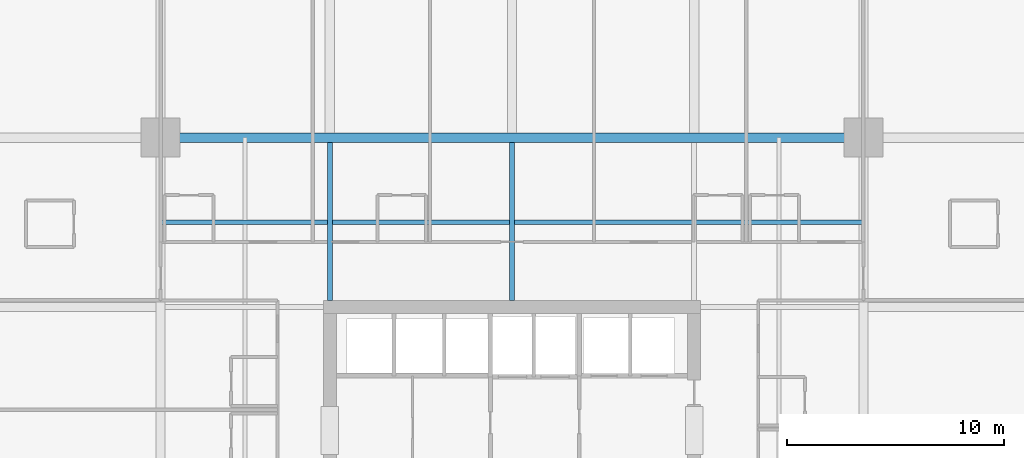
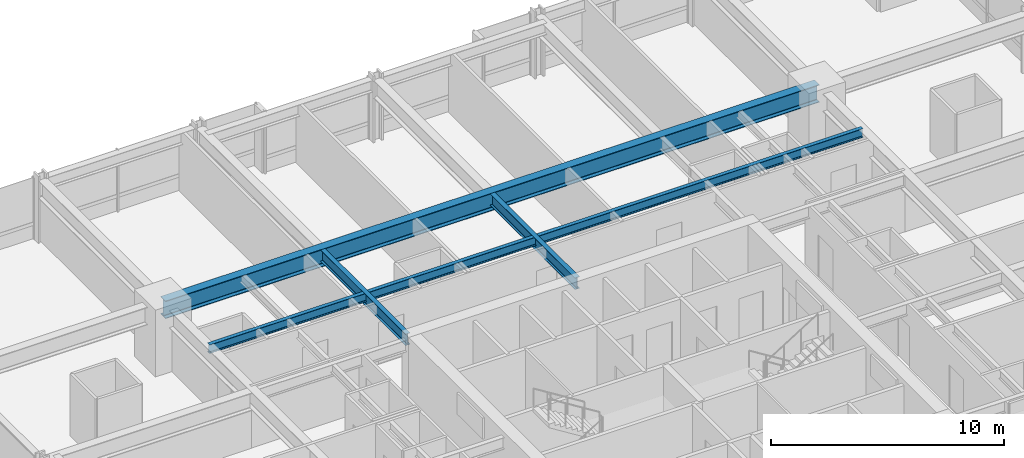
# One storey, part 20 of 38: 4 beams.
"""IFC4 building model written with IfcOpenShell, lengths in metres."""

import ifcopenshell
import ifcopenshell.guid

model = None  # the IFC model being written
_history = None  # IfcOwnerHistory: only IFC2X3 demands one
_inside = {}  # id of a spatial element -> (the spatial element, [elements in it])
_under = {}  # id of a project, library or spatial element -> (it, [spatial elements below it])
_declared = {}  # id of a project -> (the project, [libraries it declares])
_typed = {}  # id of a type object -> (the type object, [elements of that type])
_made_of = {}  # id of a material, layer set ... -> (it, [elements and type objects made of it])


def new_model(schema):
    """Start an empty IFC model of exactly this schema.

    Asked for "IFC4X3", IfcOpenShell would pick the latest addendum, in which some entities
    have other attributes; the version numbers below select the first issue.
    IFC2X3 requires an IfcOwnerHistory on every rooted entity: one is made here for all.
    """
    global model, _history
    if schema == "IFC4X3":
        model = ifcopenshell.file(schema_version=(4, 3, 0, 0))
    else:
        model = ifcopenshell.file(schema=schema)
    _inside.clear()
    _under.clear()
    _declared.clear()
    _typed.clear()
    _made_of.clear()
    _history = None
    if model.schema == "IFC2X3":
        org = make("IfcOrganization", Name="unknown")
        user = make(
            "IfcPersonAndOrganization",
            ThePerson=make("IfcPerson", FamilyName="unknown"),
            TheOrganization=org,
        )
        app = make(
            "IfcApplication",
            ApplicationDeveloper=org,
            Version="unknown",
            ApplicationFullName="unknown",
            ApplicationIdentifier="unknown",
        )
        _history = make(
            "IfcOwnerHistory",
            OwningUser=user,
            OwningApplication=app,
            ChangeAction="ADDED",
            CreationDate=0,
        )
    return model


def make(cls, **values):
    """One entity of the class cls with the attributes given. An attribute that is None is left unset."""
    return model.create_entity(
        cls, **{name: value for name, value in values.items() if value is not None}
    )


def rooted(cls, **values):
    """An entity with a GlobalId (a new one), such as an element, a storey or a relation."""
    return make(cls, GlobalId=ifcopenshell.guid.new(), OwnerHistory=_history, **values)


def si_unit(unit_type, name, prefix=None):
    """IfcSIUnit, for example si_unit("LENGTHUNIT", "METRE", prefix="MILLI")."""
    return make("IfcSIUnit", UnitType=unit_type, Prefix=prefix, Name=name)


def assignment(units):
    """IfcUnitAssignment: the units of a project."""
    return None if units is None else make("IfcUnitAssignment", Units=units)


def point(xyz):
    """IfcCartesianPoint."""
    return None if xyz is None else make("IfcCartesianPoint", Coordinates=xyz)


def direction(xyz):
    """IfcDirection."""
    return None if xyz is None else make("IfcDirection", DirectionRatios=xyz)


def frame(location, z_axis=None, x_axis=None):
    """IfcAxis2Placement3D, a coordinate frame: its origin and axes. An axis left out is left unset."""
    return make(
        "IfcAxis2Placement3D",
        Location=point(location),
        Axis=direction(z_axis),
        RefDirection=direction(x_axis),
    )


def frame_2d(location, x_axis=None):
    """IfcAxis2Placement2D, a coordinate frame in the plane: its origin and x axis."""
    return make(
        "IfcAxis2Placement2D", Location=point(location), RefDirection=direction(x_axis)
    )


def origin():
    """The frame at (0, 0, 0) with its axes left unset."""
    return frame((0.0, 0.0, 0.0))


def origin_2d():
    """The frame at (0, 0) in the plane with its x axis left unset."""
    return frame_2d((0.0, 0.0))


def place(relative_to, where):
    """IfcLocalPlacement: puts the frame where relative to a parent placement (None: the world)."""
    return make(
        "IfcLocalPlacement", PlacementRelTo=relative_to, RelativePlacement=where
    )


def context(
    kind, dimensions, precision=None, world=None, true_north=None, identifier=None
):
    """IfcGeometricRepresentationContext, for example the 3D "Model" context."""
    return make(
        "IfcGeometricRepresentationContext",
        ContextIdentifier=identifier,
        ContextType=kind,
        CoordinateSpaceDimension=dimensions,
        Precision=precision,
        WorldCoordinateSystem=world,
        TrueNorth=true_north,
    )


def subcontext(parent, identifier, kind, view, scale=None):
    """IfcGeometricRepresentationSubContext, for example "Body" below "Model"."""
    return make(
        "IfcGeometricRepresentationSubContext",
        ContextIdentifier=identifier,
        ContextType=kind,
        ParentContext=parent,
        TargetScale=scale,
        TargetView=view,
    )


def project(units=None, contexts=None):
    """IfcProject with its units and contexts."""
    return rooted(
        "IfcProject",
        Name="project",
        RepresentationContexts=contexts,
        UnitsInContext=assignment(units),
    )


def spatial(cls, under=None, at=None, **own):
    """A site, building, storey or space (cls), placed at a placement, below another one or the project."""
    s = rooted(cls, ObjectPlacement=at, **own)
    if under is not None:
        _under.setdefault(under.id(), (under, []))[1].append(s)
    return s


def profile(cls, at=None, kind="AREA", **sizes):
    """A parametric profile (cls). Its sizes go by their IFC names, for example OverallWidth=200.0."""
    return make(cls, ProfileType=kind, Position=at, **sizes)


def i_section(**sizes):
    """IfcIShapeProfileDef."""
    return profile("IfcIShapeProfileDef", **sizes)


def extrude(swept, where, along, depth):
    """IfcExtrudedAreaSolid: the profile swept, set in the frame where, extruded along a direction by depth."""
    return make(
        "IfcExtrudedAreaSolid",
        SweptArea=swept,
        Position=where,
        ExtrudedDirection=direction(along),
        Depth=depth,
    )


def shape(context_of_items, identifier, shape_type, items):
    """IfcShapeRepresentation: the items that make up one representation, for example the "Body"."""
    return make(
        "IfcShapeRepresentation",
        ContextOfItems=context_of_items,
        RepresentationIdentifier=identifier,
        RepresentationType=shape_type,
        Items=items,
    )


def material(Name=None, Category=None):
    """IfcMaterial."""
    return make("IfcMaterial", Name=Name, Category=Category)


def material_profile(
    of_material, cross_section, Name=None, Category=None, Priority=None
):
    """IfcMaterialProfile: a cross section and its material."""
    return make(
        "IfcMaterialProfile",
        Name=Name,
        Material=of_material,
        Profile=cross_section,
        Priority=Priority,
        Category=Category,
    )


def profile_set(profiles, Name=None, composite=None):
    """IfcMaterialProfileSet."""
    return make(
        "IfcMaterialProfileSet",
        Name=Name,
        MaterialProfiles=profiles,
        CompositeProfile=composite,
    )


def made_of(thing, what):
    """Note that an element or type object is made of a material, layer set ...; save() writes the relation."""
    if what is not None:
        _made_of.setdefault(what.id(), (what, []))[1].append(thing)
    return thing


def type_object(cls, material=None, **own):
    """A type object (cls), such as IfcWallType, which elements share."""
    return made_of(rooted(cls, **own), material)


def element(
    cls,
    number,
    at=None,
    inside=None,
    cuts=None,
    type_object=None,
    material=None,
    context=None,
    identifier="Body",
    shape_type=None,
    held_by="IfcProductDefinitionShape",
    body=None,
    shapes=None,
    **own,
):
    """One element of the class cls, such as IfcWall. Its Tag is "e" and its number.

    at: its placement. inside: the storey or other place that contains it. cuts: it is an
    opening in that element (IfcRelVoidsElement). A single representation is given by context,
    identifier, shape_type and body (its items); several are given by shapes. held_by: the class
    of the entity that holds the representations. save() writes the other relations.
    """
    e = rooted(cls, Tag="e%d" % number, ObjectPlacement=at, **own)
    if body is not None:
        shapes = [shape(context, identifier, shape_type, body)]
    if shapes is not None:
        e.Representation = make(held_by, Representations=shapes)
    if inside is not None:
        _inside.setdefault(inside.id(), (inside, []))[1].append(e)
    if cuts is not None:
        rooted(
            "IfcRelVoidsElement", RelatingBuildingElement=cuts, RelatedOpeningElement=e
        )
    if type_object is not None:
        _typed.setdefault(type_object.id(), (type_object, []))[1].append(e)
    return made_of(e, material)


def aggregate(whole, parts):
    """IfcRelAggregates: a whole, such as a stair, and the parts it consists of."""
    return rooted("IfcRelAggregates", RelatingObject=whole, RelatedObjects=parts)


def save(model, path):
    """Write the relations noted so far, then the file.

    IfcRelAggregates (storeys below a building ...), IfcRelContainedInSpatialStructure (elements
    in a storey), IfcRelDefinesByType, IfcRelAssociatesMaterial and IfcRelDeclares: one each for
    every whole, place, type object, material and project.
    """
    for whole, parts in _under.values():
        aggregate(whole, parts)
    for where, things in _inside.values():
        rooted(
            "IfcRelContainedInSpatialStructure",
            RelatedElements=things,
            RelatingStructure=where,
        )
    for kind, things in _typed.values():
        rooted("IfcRelDefinesByType", RelatedObjects=things, RelatingType=kind)
    for what, things in _made_of.values():
        rooted("IfcRelAssociatesMaterial", RelatedObjects=things, RelatingMaterial=what)
    for by, libraries in _declared.values():
        rooted("IfcRelDeclares", RelatingContext=by, RelatedDefinitions=libraries)
    model.write(path)


model = new_model("IFC4")

# Units and contexts
model_context = context("Model", 3, precision=1e-05, world=origin(), true_north=direction((0.0, 1.0)))
body_context = subcontext(model_context, "Body", "Model", "MODEL_VIEW")
ifc_project = project(units=[si_unit("LENGTHUNIT", "METRE"), si_unit("AREAUNIT", "SQUARE_METRE"), si_unit("VOLUMEUNIT", "CUBIC_METRE"), si_unit("PLANEANGLEUNIT", "RADIAN"), si_unit("MASSUNIT", "GRAM", prefix="KILO")], contexts=[model_context])

# Site, building, storey
site_placement = place(None, origin())
site = spatial("IfcSite", under=ifc_project, at=site_placement, CompositionType="ELEMENT")
building_placement = place(site_placement, origin())
building = spatial("IfcBuilding", under=site, at=building_placement, Name="Drelvath Grand Hotel", CompositionType="ELEMENT")
storey_placement = place(building_placement, frame((0.0, 0.0, 57.699951171875)))
storey = spatial("IfcBuildingStorey", under=building, at=storey_placement, Name="L13", CompositionType="ELEMENT", Elevation=57.699951171875)

# Beams
ifc_material = material(Name="Steel ASTM A992 Gr 50", Category="steel")
ifc_material_profile_1 = material_profile(ifc_material, i_section(OverallWidth=0.19140625, OverallDepth=0.4599609375, WebThickness=0.010009765625, FlangeThickness=0.01611328125, FilletRadius=0.01611328125, at=origin_2d()), Name="W18X55")
ifc_profile_set_1 = profile_set([ifc_material_profile_1], Name="Steel ASTM A992 Gr 50")
beam_type_1 = type_object("IfcBeamType", Name="Composite Floor Joist W18X55", PredefinedType="JOIST", material=ifc_profile_set_1)
beam_1_placement = place(storey_placement, frame((-16.199951171875, 39.300048828125, 3.010009765625), z_axis=(1.0, 0.0, 0.0), x_axis=(0.0, 1.0, 0.0)))
element("IfcBeam", 1, at=beam_1_placement, inside=storey, type_object=beam_type_1, Name="L13 Floor Joist J2", PredefinedType="JOIST", context=body_context, shape_type="SweptSolid", body=[
    extrude(i_section(OverallWidth=0.19140625, OverallDepth=0.4599609375, WebThickness=0.010009765625, FlangeThickness=0.01611328125, FilletRadius=0.01611328125, at=origin_2d()), origin(), (0.0, 0.0, 1.0), 32.39990234375),
])
ifc_material_profile_2 = material_profile(ifc_material, i_section(OverallWidth=0.228271484375, OverallDepth=0.607666015625, WebThickness=0.01123046875, FlangeThickness=0.017333984375, FilletRadius=0.02001953125, at=origin_2d()), Name="W24X76")
ifc_profile_set_2 = profile_set([ifc_material_profile_2], Name="Steel ASTM A992 Gr 50")
beam_type_2 = type_object("IfcBeamType", Name="Primary Floor Girder W24X76", PredefinedType="BEAM", material=ifc_profile_set_2)
for number, where, z_axis, x_axis, name in (
    (2, (-8.39990234375, 35.699951171875, 2.936279296875), (0.0, 1.0, 0.0), (-1.0, 0.0, 0.0), "L13 North Core Tie 4"),
    (3, (0.0, 35.699951171875, 2.936279296875), (0.0, 1.0, 0.0), (-1.0, 0.0, 0.0), "L13 North Core Tie 5"),
):
    element("IfcBeam", number, at=place(storey_placement, frame(where, z_axis=z_axis, x_axis=x_axis)), inside=storey, type_object=beam_type_2, Name=name, PredefinedType="BEAM", context=body_context, shape_type="SweptSolid", body=[
        extrude(i_section(OverallWidth=0.228271484375, OverallDepth=0.607666015625, WebThickness=0.01123046875, FlangeThickness=0.017333984375, FilletRadius=0.02001953125, at=origin_2d()), origin(), (0.0, 0.0, 1.0), 7.290771484375),
    ])
ifc_material_profile_3 = material_profile(ifc_material, i_section(OverallWidth=0.418212890625, OverallDepth=0.926513671875, WebThickness=0.019287109375, FlangeThickness=0.031982421875, FilletRadius=0.028076171875, at=origin_2d()), Name="W36X231")
ifc_profile_set_3 = profile_set([ifc_material_profile_3], Name="Steel ASTM A992 Gr 50")
beam_type_3 = type_object("IfcBeamType", Name="Primary Floor Girder W36X231", PredefinedType="BEAM", material=ifc_profile_set_3)
beam_2_placement = place(storey_placement, frame((-16.199951171875, 43.199951171875, 2.77685546875), z_axis=(1.0, 0.0, 0.0), x_axis=(0.0, 1.0, 0.0)))
element("IfcBeam", 4, at=beam_2_placement, inside=storey, type_object=beam_type_3, Name="L13 Mega Ring Girder North", PredefinedType="BEAM", context=body_context, shape_type="SweptSolid", body=[
    extrude(i_section(OverallWidth=0.418212890625, OverallDepth=0.926513671875, WebThickness=0.019287109375, FlangeThickness=0.031982421875, FilletRadius=0.028076171875, at=origin_2d()), origin(), (0.0, 0.0, 1.0), 32.39990234375),
])

save(model, "model.ifc")
